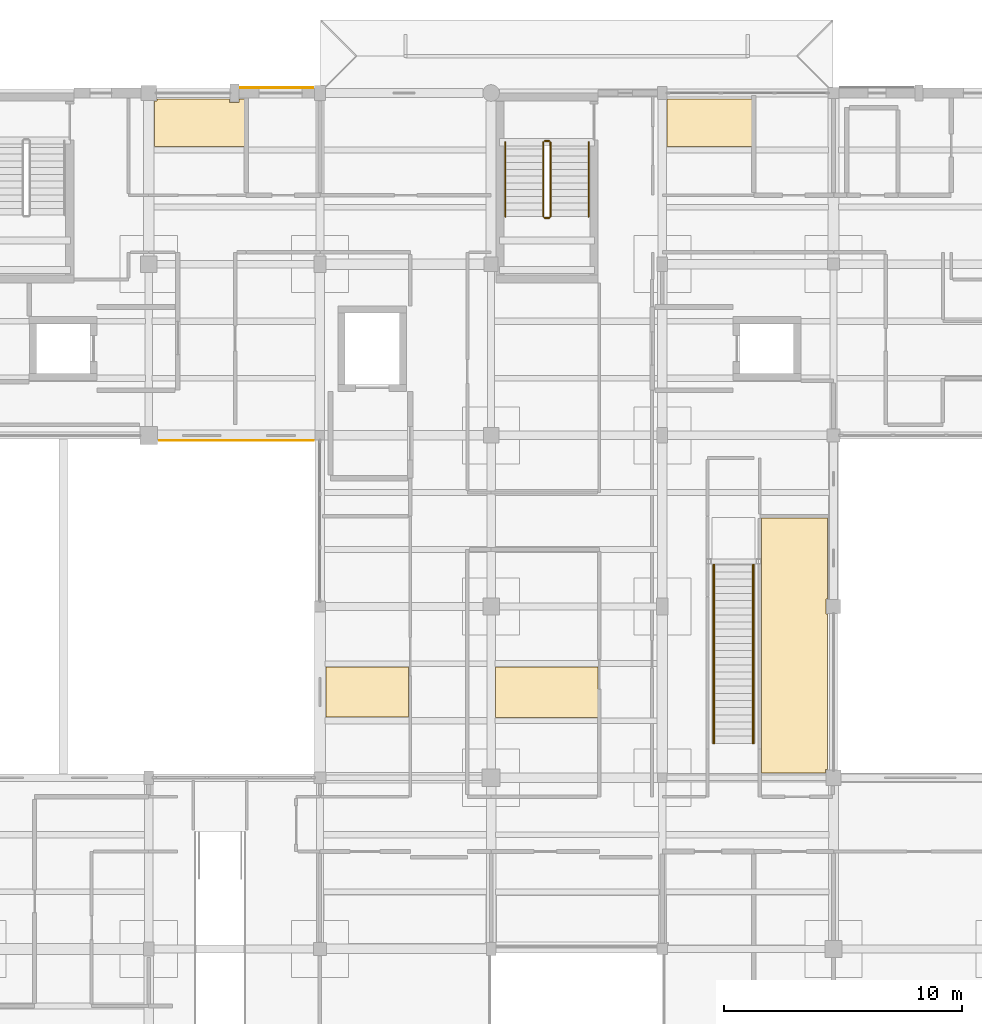
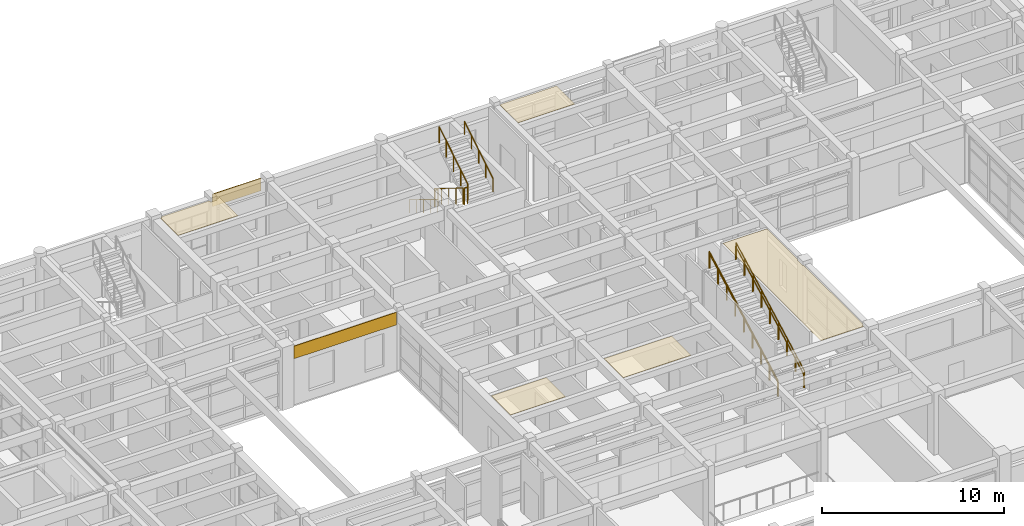
# One storey, part 105 of 110: 10 railings, 7 coverings.
"""IFC4 building model written with IfcOpenShell, lengths in metres."""

import ifcopenshell
import ifcopenshell.guid

model = None  # the IFC model being written
_history = None  # IfcOwnerHistory: only IFC2X3 demands one
_inside = {}  # id of a spatial element -> (the spatial element, [elements in it])
_under = {}  # id of a project, library or spatial element -> (it, [spatial elements below it])
_declared = {}  # id of a project -> (the project, [libraries it declares])
_typed = {}  # id of a type object -> (the type object, [elements of that type])
_made_of = {}  # id of a material, layer set ... -> (it, [elements and type objects made of it])


def new_model(schema):
    """Start an empty IFC model of exactly this schema.

    Asked for "IFC4X3", IfcOpenShell would pick the latest addendum, in which some entities
    have other attributes; the version numbers below select the first issue.
    IFC2X3 requires an IfcOwnerHistory on every rooted entity: one is made here for all.
    """
    global model, _history
    if schema == "IFC4X3":
        model = ifcopenshell.file(schema_version=(4, 3, 0, 0))
    else:
        model = ifcopenshell.file(schema=schema)
    _inside.clear()
    _under.clear()
    _declared.clear()
    _typed.clear()
    _made_of.clear()
    _history = None
    if model.schema == "IFC2X3":
        org = make("IfcOrganization", Name="unknown")
        user = make(
            "IfcPersonAndOrganization",
            ThePerson=make("IfcPerson", FamilyName="unknown"),
            TheOrganization=org,
        )
        app = make(
            "IfcApplication",
            ApplicationDeveloper=org,
            Version="unknown",
            ApplicationFullName="unknown",
            ApplicationIdentifier="unknown",
        )
        _history = make(
            "IfcOwnerHistory",
            OwningUser=user,
            OwningApplication=app,
            ChangeAction="ADDED",
            CreationDate=0,
        )
    return model


def make(cls, **values):
    """One entity of the class cls with the attributes given. An attribute that is None is left unset."""
    return model.create_entity(
        cls, **{name: value for name, value in values.items() if value is not None}
    )


def rooted(cls, **values):
    """An entity with a GlobalId (a new one), such as an element, a storey or a relation."""
    return make(cls, GlobalId=ifcopenshell.guid.new(), OwnerHistory=_history, **values)


def si_unit(unit_type, name, prefix=None):
    """IfcSIUnit, for example si_unit("LENGTHUNIT", "METRE", prefix="MILLI")."""
    return make("IfcSIUnit", UnitType=unit_type, Prefix=prefix, Name=name)


def assignment(units):
    """IfcUnitAssignment: the units of a project."""
    return None if units is None else make("IfcUnitAssignment", Units=units)


def point(xyz):
    """IfcCartesianPoint."""
    return None if xyz is None else make("IfcCartesianPoint", Coordinates=xyz)


def direction(xyz):
    """IfcDirection."""
    return None if xyz is None else make("IfcDirection", DirectionRatios=xyz)


def frame(location, z_axis=None, x_axis=None):
    """IfcAxis2Placement3D, a coordinate frame: its origin and axes. An axis left out is left unset."""
    return make(
        "IfcAxis2Placement3D",
        Location=point(location),
        Axis=direction(z_axis),
        RefDirection=direction(x_axis),
    )


def frame_2d(location, x_axis=None):
    """IfcAxis2Placement2D, a coordinate frame in the plane: its origin and x axis."""
    return make(
        "IfcAxis2Placement2D", Location=point(location), RefDirection=direction(x_axis)
    )


def origin():
    """The frame at (0, 0, 0) with its axes left unset."""
    return frame((0.0, 0.0, 0.0))


def origin_2d():
    """The frame at (0, 0) in the plane with its x axis left unset."""
    return frame_2d((0.0, 0.0))


def place(relative_to, where):
    """IfcLocalPlacement: puts the frame where relative to a parent placement (None: the world)."""
    return make(
        "IfcLocalPlacement", PlacementRelTo=relative_to, RelativePlacement=where
    )


def context(
    kind, dimensions, precision=None, world=None, true_north=None, identifier=None
):
    """IfcGeometricRepresentationContext, for example the 3D "Model" context."""
    return make(
        "IfcGeometricRepresentationContext",
        ContextIdentifier=identifier,
        ContextType=kind,
        CoordinateSpaceDimension=dimensions,
        Precision=precision,
        WorldCoordinateSystem=world,
        TrueNorth=true_north,
    )


def subcontext(parent, identifier, kind, view, scale=None):
    """IfcGeometricRepresentationSubContext, for example "Body" below "Model"."""
    return make(
        "IfcGeometricRepresentationSubContext",
        ContextIdentifier=identifier,
        ContextType=kind,
        ParentContext=parent,
        TargetScale=scale,
        TargetView=view,
    )


def project(units=None, contexts=None):
    """IfcProject with its units and contexts."""
    return rooted(
        "IfcProject",
        Name="project",
        RepresentationContexts=contexts,
        UnitsInContext=assignment(units),
    )


def spatial(cls, under=None, at=None, **own):
    """A site, building, storey or space (cls), placed at a placement, below another one or the project."""
    s = rooted(cls, ObjectPlacement=at, **own)
    if under is not None:
        _under.setdefault(under.id(), (under, []))[1].append(s)
    return s


def polyline(points):
    """IfcPolyline through the points."""
    return make("IfcPolyline", Points=[point(p) for p in points])


def profile(cls, at=None, kind="AREA", **sizes):
    """A parametric profile (cls). Its sizes go by their IFC names, for example OverallWidth=200.0."""
    return make(cls, ProfileType=kind, Position=at, **sizes)


def rectangle(**sizes):
    """IfcRectangleProfileDef."""
    return profile("IfcRectangleProfileDef", **sizes)


def circle(**sizes):
    """IfcCircleProfileDef."""
    return profile("IfcCircleProfileDef", **sizes)


def outline(outer, holes=None, kind="AREA"):
    """IfcArbitraryClosedProfileDef: a profile drawn as a closed curve; with holes, ...WithVoids."""
    if holes is None:
        return make("IfcArbitraryClosedProfileDef", ProfileType=kind, OuterCurve=outer)
    return make(
        "IfcArbitraryProfileDefWithVoids",
        ProfileType=kind,
        OuterCurve=outer,
        InnerCurves=holes,
    )


def extrude(swept, where, along, depth):
    """IfcExtrudedAreaSolid: the profile swept, set in the frame where, extruded along a direction by depth."""
    return make(
        "IfcExtrudedAreaSolid",
        SweptArea=swept,
        Position=where,
        ExtrudedDirection=direction(along),
        Depth=depth,
    )


def shape(context_of_items, identifier, shape_type, items):
    """IfcShapeRepresentation: the items that make up one representation, for example the "Body"."""
    return make(
        "IfcShapeRepresentation",
        ContextOfItems=context_of_items,
        RepresentationIdentifier=identifier,
        RepresentationType=shape_type,
        Items=items,
    )


def material(Name=None, Category=None):
    """IfcMaterial."""
    return make("IfcMaterial", Name=Name, Category=Category)


def layer(
    of_material, thickness, ventilated=None, Name=None, Category=None, Priority=None
):
    """IfcMaterialLayer: one layer of a wall or slab, of a material (None: an air gap)."""
    return make(
        "IfcMaterialLayer",
        Material=of_material,
        LayerThickness=thickness,
        IsVentilated=ventilated,
        Name=Name,
        Category=Category,
        Priority=Priority,
    )


def layer_set(layers, Name=None):
    """IfcMaterialLayerSet."""
    return make("IfcMaterialLayerSet", MaterialLayers=layers, LayerSetName=Name)


def made_of(thing, what):
    """Note that an element or type object is made of a material, layer set ...; save() writes the relation."""
    if what is not None:
        _made_of.setdefault(what.id(), (what, []))[1].append(thing)
    return thing


def type_object(cls, material=None, **own):
    """A type object (cls), such as IfcWallType, which elements share."""
    return made_of(rooted(cls, **own), material)


def element(
    cls,
    number,
    at=None,
    inside=None,
    cuts=None,
    type_object=None,
    material=None,
    context=None,
    identifier="Body",
    shape_type=None,
    held_by="IfcProductDefinitionShape",
    body=None,
    shapes=None,
    **own,
):
    """One element of the class cls, such as IfcWall. Its Tag is "e" and its number.

    at: its placement. inside: the storey or other place that contains it. cuts: it is an
    opening in that element (IfcRelVoidsElement). A single representation is given by context,
    identifier, shape_type and body (its items); several are given by shapes. held_by: the class
    of the entity that holds the representations. save() writes the other relations.
    """
    e = rooted(cls, Tag="e%d" % number, ObjectPlacement=at, **own)
    if body is not None:
        shapes = [shape(context, identifier, shape_type, body)]
    if shapes is not None:
        e.Representation = make(held_by, Representations=shapes)
    if inside is not None:
        _inside.setdefault(inside.id(), (inside, []))[1].append(e)
    if cuts is not None:
        rooted(
            "IfcRelVoidsElement", RelatingBuildingElement=cuts, RelatedOpeningElement=e
        )
    if type_object is not None:
        _typed.setdefault(type_object.id(), (type_object, []))[1].append(e)
    return made_of(e, material)


def aggregate(whole, parts):
    """IfcRelAggregates: a whole, such as a stair, and the parts it consists of."""
    return rooted("IfcRelAggregates", RelatingObject=whole, RelatedObjects=parts)


def save(model, path):
    """Write the relations noted so far, then the file.

    IfcRelAggregates (storeys below a building ...), IfcRelContainedInSpatialStructure (elements
    in a storey), IfcRelDefinesByType, IfcRelAssociatesMaterial and IfcRelDeclares: one each for
    every whole, place, type object, material and project.
    """
    for whole, parts in _under.values():
        aggregate(whole, parts)
    for where, things in _inside.values():
        rooted(
            "IfcRelContainedInSpatialStructure",
            RelatedElements=things,
            RelatingStructure=where,
        )
    for kind, things in _typed.values():
        rooted("IfcRelDefinesByType", RelatedObjects=things, RelatingType=kind)
    for what, things in _made_of.values():
        rooted("IfcRelAssociatesMaterial", RelatedObjects=things, RelatingMaterial=what)
    for by, libraries in _declared.values():
        rooted("IfcRelDeclares", RelatingContext=by, RelatedDefinitions=libraries)
    model.write(path)


model = new_model("IFC4")

# Units and contexts
model_context = context("Model", 3, precision=1e-05, world=origin(), true_north=direction((0.0, 1.0)))
body_context = subcontext(model_context, "Body", "Model", "MODEL_VIEW")
ifc_project = project(units=[si_unit("LENGTHUNIT", "METRE"), si_unit("AREAUNIT", "SQUARE_METRE"), si_unit("VOLUMEUNIT", "CUBIC_METRE"), si_unit("PLANEANGLEUNIT", "RADIAN"), si_unit("MASSUNIT", "GRAM", prefix="KILO")], contexts=[model_context])

# Site, building, storey
site_placement = place(None, origin())
site = spatial("IfcSite", under=ifc_project, at=site_placement, CompositionType="ELEMENT")
building_placement = place(site_placement, origin())
building = spatial("IfcBuilding", under=site, at=building_placement, Name="Steenspoor Specialist Clinic", CompositionType="ELEMENT")
storey_placement = place(building_placement, frame((0.0, 0.0, 4.800048828125)))
storey = spatial("IfcBuildingStorey", under=building, at=storey_placement, Name="L01", CompositionType="ELEMENT", Elevation=4.800048828125)

# Coverings
ifc_material_1 = material(Name="Washable acoustic mineral ceiling board", Category="gypsum")
ifc_layer_1 = layer(ifc_material_1, 0.02490234375)
ifc_layer_set_1 = layer_set([ifc_layer_1], Name="Washable acoustic mineral ceiling board")
covering_type_1 = type_object("IfcCoveringType", Name="COV-CEIL-ACOUSTIC", PredefinedType="CEILING", material=ifc_layer_set_1)
covering_1_placement = place(storey_placement, frame((0.0, 0.0, 3.925048828125)))
element("IfcCovering", 1, at=covering_1_placement, inside=storey, type_object=covering_type_1, Name="Acoustic Clinical Ceiling 104", PredefinedType="CEILING", context=body_context, shape_type="SweptSolid", body=[
    extrude(outline(polyline([(74.260009765625, 84.2099609375), (77.735107421875, 84.2099609375), (77.735107421875, 82.10009765625), (74.260009765625, 82.10009765625), (74.260009765625, 84.2099609375)])), origin(), (0.0, 0.0, 1.0), 0.02490234375),
])
covering_2_placement = place(storey_placement, frame((0.0, 0.0, 3.925048828125)))
element("IfcCovering", 2, at=covering_2_placement, inside=storey, type_object=covering_type_1, Name="Acoustic Clinical Ceiling 105", PredefinedType="CEILING", context=body_context, shape_type="SweptSolid", body=[
    extrude(outline(polyline([(85.68505859375, 82.090087890625), (81.39501953125, 82.090087890625), (81.39501953125, 84.199951171875), (85.68505859375, 84.199951171875), (85.68505859375, 82.090087890625)])), origin(), (0.0, 0.0, 1.0), 0.02490234375),
])
covering_3_placement = place(storey_placement, frame((0.0, 0.0, 3.925048828125)))
element("IfcCovering", 3, at=covering_3_placement, inside=storey, type_object=covering_type_1, Name="Acoustic Clinical Ceiling 106", PredefinedType="CEILING", context=body_context, shape_type="SweptSolid", body=[
    extrude(outline(polyline([(95.340087890625, 87.06494140625), (95.284912109375, 87.06494140625), (95.284912109375, 86.43505859375), (95.340087890625, 86.43505859375), (95.340087890625, 79.889892578125), (95.260009765625, 79.889892578125), (95.260009765625, 79.7451171875), (92.56494140625, 79.7451171875), (92.56494140625, 90.485107421875), (95.340087890625, 90.485107421875), (95.340087890625, 87.06494140625)])), origin(), (0.0, 0.0, 1.0), 0.02490234375),
])
covering_4_placement = place(storey_placement, frame((0.0, 0.0, 3.925048828125)))
element("IfcCovering", 4, at=covering_4_placement, inside=storey, type_object=covering_type_1, Name="Acoustic Clinical Ceiling 107", PredefinedType="CEILING", context=body_context, shape_type="SweptSolid", body=[
    extrude(outline(polyline([(70.195068359375, 108.090087890625), (70.195068359375, 107.955078125), (70.60498046875, 107.955078125), (70.60498046875, 108.090087890625), (70.8349609375, 108.090087890625), (70.8349609375, 106.090087890625), (67.044921875, 106.090087890625), (67.044921875, 108.010009765625), (67.139892578125, 108.010009765625), (67.139892578125, 108.090087890625), (70.195068359375, 108.090087890625)])), origin(), (0.0, 0.0, 1.0), 0.02490234375),
])
covering_5_placement = place(storey_placement, frame((0.0, 0.0, 3.925048828125)))
element("IfcCovering", 5, at=covering_5_placement, inside=storey, type_object=covering_type_1, Name="Acoustic Clinical Ceiling 109", PredefinedType="CEILING", context=body_context, shape_type="SweptSolid", body=[
    extrude(outline(polyline([(92.18505859375, 106.10009765625), (88.594970703125, 106.10009765625), (88.594970703125, 108.06005859375), (88.614990234375, 108.06005859375), (88.614990234375, 108.090087890625), (92.18505859375, 108.090087890625), (92.18505859375, 106.10009765625)])), origin(), (0.0, 0.0, 1.0), 0.02490234375),
])
ifc_material_2 = material(Name="Glazed ceramic relief spandrel cladding", Category="masonry")
ifc_layer_2 = layer(ifc_material_2, 0.034912109375)
ifc_layer_set_2 = layer_set([ifc_layer_2], Name="Glazed ceramic relief spandrel cladding")
covering_type_2 = type_object("IfcCoveringType", Name="COV-CLAD-CERAMIC", PredefinedType="CLADDING", material=ifc_layer_set_2)
covering_6_placement = place(storey_placement, frame((72.1826171875, 108.56494140625, 3.11474609375), z_axis=(0.0, 0.0, 1.0), x_axis=(1.0, 0.0, 0.0)))
element("IfcCovering", 6, at=covering_6_placement, inside=storey, type_object=covering_type_2, Name="Spandrel Cladding 34", PredefinedType="CLADDING", context=body_context, shape_type="SweptSolid", body=[
    extrude(rectangle(XDim=3.06494140625, YDim=0.0400390625, at=origin_2d()), origin(), (0.0, 0.0, 1.0), 0.840087890625),
])
covering_7_placement = place(storey_placement, frame((70.487548828125, 93.735107421875, 3.11474609375), z_axis=(0.0, 0.0, 1.0), x_axis=(-1.0, 0.0, 0.0)))
element("IfcCovering", 7, at=covering_7_placement, inside=storey, type_object=covering_type_2, Name="Spandrel Cladding 38", PredefinedType="CLADDING", context=body_context, shape_type="SweptSolid", body=[
    extrude(rectangle(XDim=6.5048828125, YDim=0.0400390625, at=origin_2d()), origin(), (0.0, 0.0, 1.0), 0.840087890625),
])

# Railings
ifc_material_3 = material(Name="Painted architectural steel balustrade", Category="steel")
railing_type_1 = type_object("IfcRailingType", Name="RAIL-GUARD-1100", PredefinedType="GUARDRAIL", material=ifc_material_3)
railing_1_placement = place(storey_placement, frame((83.39990234375, 106.280029296875, 0.175048828125)))
element("IfcRailing", 8, at=railing_1_placement, inside=storey, type_object=railing_type_1, Name="L01 ST-V4C stair guard 1", PredefinedType="GUARDRAIL", context=body_context, shape_type="SweptSolid", body=[
    extrude(circle(Radius=0.02392578125, at=origin_2d()), frame((0.0, 0.0, 1.076171875), z_axis=(0.0, -0.852195625947, 0.523223293744), x_axis=(1.0, 0.0, 0.0)), (0.0, 0.0, 1.0), 3.6787109375),
    extrude(circle(Radius=0.02099609375, at=origin_2d()), origin(), (0.0, 0.0, 1.0), 1.052001953125),
    extrude(circle(Radius=0.02099609375, at=origin_2d()), frame((0.0, -0.78369140625, 0.481201171875)), (0.0, 0.0, 1.0), 1.052001953125),
    extrude(circle(Radius=0.02099609375, at=origin_2d()), frame((0.0, -1.5673828125, 0.96240234375)), (0.0, 0.0, 1.0), 1.052001953125),
    extrude(circle(Radius=0.02099609375, at=origin_2d()), frame((0.0, -2.351318359375, 1.443603515625)), (0.0, 0.0, 1.0), 1.052001953125),
    extrude(circle(Radius=0.02099609375, at=origin_2d()), frame((0.0, -3.135009765625, 1.9248046875)), (0.0, 0.0, 1.0), 1.052001953125),
])
railing_2_placement = place(storey_placement, frame((83.449951171875, 103.094970703125, 2.099853515625)))
element("IfcRailing", 9, at=railing_2_placement, inside=storey, type_object=railing_type_1, Name="L01 ST-V4C stair guard 2", PredefinedType="GUARDRAIL", context=body_context, shape_type="SweptSolid", body=[
    extrude(circle(Radius=0.02392578125, at=origin_2d()), frame((0.0, 0.0, 1.076171875), z_axis=(1.0, 0.0, 0.0), x_axis=(0.0, 1.0, 0.0)), (0.0, 0.0, 1.0), 0.199951171875),
    extrude(circle(Radius=0.02099609375, at=origin_2d()), origin(), (0.0, 0.0, 1.0), 1.052001953125),
    extrude(circle(Radius=0.02099609375, at=origin_2d()), frame((0.199951171875, 0.0, 0.0)), (0.0, 0.0, 1.0), 1.052001953125),
])
railing_3_placement = place(storey_placement, frame((83.699951171875, 103.14501953125, 2.27490234375)))
element("IfcRailing", 10, at=railing_3_placement, inside=storey, type_object=railing_type_1, Name="L01 ST-V4C stair guard 3", PredefinedType="GUARDRAIL", context=body_context, shape_type="SweptSolid", body=[
    extrude(circle(Radius=0.02392578125, at=origin_2d()), frame((0.0, 0.0, 1.076171875), z_axis=(0.0, 0.852166034122, 0.523271488128), x_axis=(-1.0, 0.0, 0.0)), (0.0, 0.0, 1.0), 3.678955078125),
    extrude(circle(Radius=0.02099609375, at=origin_2d()), origin(), (0.0, 0.0, 1.0), 1.052001953125),
    extrude(circle(Radius=0.02099609375, at=origin_2d()), frame((0.0, 0.78369140625, 0.481201171875)), (0.0, 0.0, 1.0), 1.052001953125),
    extrude(circle(Radius=0.02099609375, at=origin_2d()), frame((0.0, 1.5673828125, 0.96240234375)), (0.0, 0.0, 1.0), 1.052001953125),
    extrude(circle(Radius=0.02099609375, at=origin_2d()), frame((0.0, 2.351318359375, 1.44384765625)), (0.0, 0.0, 1.0), 1.052001953125),
    extrude(circle(Radius=0.02099609375, at=origin_2d()), frame((0.0, 3.135009765625, 1.925048828125)), (0.0, 0.0, 1.0), 1.052001953125),
])
railing_4_placement = place(storey_placement, frame((83.449951171875, 106.330078125, 0.0)))
element("IfcRailing", 11, at=railing_4_placement, inside=storey, type_object=railing_type_1, Name="L01 ST-V4C stair guard 4", PredefinedType="GUARDRAIL", context=body_context, shape_type="SweptSolid", body=[
    extrude(circle(Radius=0.02392578125, at=origin_2d()), frame((0.0, 0.0, 1.076171875), z_axis=(1.0, 0.0, 0.0), x_axis=(0.0, 1.0, 0.0)), (0.0, 0.0, 1.0), 0.199951171875),
    extrude(circle(Radius=0.02099609375, at=origin_2d()), origin(), (0.0, 0.0, 1.0), 1.052001953125),
    extrude(circle(Radius=0.02099609375, at=origin_2d()), frame((0.199951171875, 0.0, 0.0)), (0.0, 0.0, 1.0), 1.052001953125),
])
for number, where, name in (
    (12, (90.550048828125, 81.0, 0.161376953125), "ST-F03 Flight Guard L"),
    (13, (92.25, 81.0, 0.161376953125), "ST-F03 Flight Guard R"),
):
    element("IfcRailing", number, at=place(storey_placement, frame(where)), inside=storey, type_object=railing_type_1, Name=name, PredefinedType="GUARDRAIL", context=body_context, shape_type="SweptSolid", body=[
        extrude(circle(Radius=0.02392578125, at=origin_2d()), frame((0.0, 0.0, 1.09619140625), z_axis=(0.0, 0.880465578021, 0.474110077852), x_axis=(-1.0, 0.0, 0.0)), (0.0, 0.0, 1.0), 8.518310546875),
        extrude(circle(Radius=0.02099609375, at=origin_2d()), origin(), (0.0, 0.0, 1.0), 1.072021484375),
        extrude(circle(Radius=0.02099609375, at=origin_2d()), frame((0.0, 0.9375, 0.5048828125)), (0.0, 0.0, 1.0), 1.072021484375),
        extrude(circle(Radius=0.02099609375, at=origin_2d()), frame((0.0, 1.875, 1.009765625)), (0.0, 0.0, 1.0), 1.072021484375),
        extrude(circle(Radius=0.02099609375, at=origin_2d()), frame((0.0, 2.8125, 1.514404296875)), (0.0, 0.0, 1.0), 1.072021484375),
        extrude(circle(Radius=0.02099609375, at=origin_2d()), frame((0.0, 3.75, 2.019287109375)), (0.0, 0.0, 1.0), 1.072021484375),
        extrude(circle(Radius=0.02099609375, at=origin_2d()), frame((0.0, 4.6875, 2.524169921875)), (0.0, 0.0, 1.0), 1.072021484375),
        extrude(circle(Radius=0.02099609375, at=origin_2d()), frame((0.0, 5.625, 3.02880859375)), (0.0, 0.0, 1.0), 1.072021484375),
        extrude(circle(Radius=0.02099609375, at=origin_2d()), frame((0.0, 6.5625, 3.53369140625)), (0.0, 0.0, 1.0), 1.072021484375),
        extrude(circle(Radius=0.02099609375, at=origin_2d()), frame((0.0, 7.5, 4.03857421875)), (0.0, 0.0, 1.0), 1.072021484375),
    ])
ifc_material_4 = material(Name="Brushed stainless steel clinical handrail", Category="steel")
railing_type_2 = type_object("IfcRailingType", Name="RAIL-HAND-900", PredefinedType="HANDRAIL", material=ifc_material_4)
railing_5_placement = place(storey_placement, frame((81.800048828125, 106.280029296875, 0.175048828125)))
element("IfcRailing", 14, at=railing_5_placement, inside=storey, type_object=railing_type_2, Name="L01 ST-V4C stair handrail 1", PredefinedType="HANDRAIL", context=body_context, shape_type="SweptSolid", body=[
    extrude(circle(Radius=0.02392578125, at=origin_2d()), frame((0.0, 0.0, 0.8759765625), z_axis=(0.0, -0.852195625947, 0.523223293744), x_axis=(1.0, 0.0, 0.0)), (0.0, 0.0, 1.0), 3.6787109375),
    extrude(circle(Radius=0.02099609375, at=origin_2d()), origin(), (0.0, 0.0, 1.0), 0.851806640625),
    extrude(circle(Radius=0.02099609375, at=origin_2d()), frame((0.0, -0.78369140625, 0.481201171875)), (0.0, 0.0, 1.0), 0.851806640625),
    extrude(circle(Radius=0.02099609375, at=origin_2d()), frame((0.0, -1.5673828125, 0.96240234375)), (0.0, 0.0, 1.0), 0.851806640625),
    extrude(circle(Radius=0.02099609375, at=origin_2d()), frame((0.0, -2.351318359375, 1.443603515625)), (0.0, 0.0, 1.0), 0.851806640625),
    extrude(circle(Radius=0.02099609375, at=origin_2d()), frame((0.0, -3.135009765625, 1.9248046875)), (0.0, 0.0, 1.0), 0.851806640625),
])
railing_6_placement = place(storey_placement, frame((85.300048828125, 103.14501953125, 2.27490234375)))
element("IfcRailing", 15, at=railing_6_placement, inside=storey, type_object=railing_type_2, Name="L01 ST-V4C stair handrail 2", PredefinedType="HANDRAIL", context=body_context, shape_type="SweptSolid", body=[
    extrude(circle(Radius=0.02392578125, at=origin_2d()), frame((0.0, 0.0, 0.8759765625), z_axis=(0.0, 0.852166034122, 0.523271488128), x_axis=(-1.0, 0.0, 0.0)), (0.0, 0.0, 1.0), 3.678955078125),
    extrude(circle(Radius=0.02099609375, at=origin_2d()), origin(), (0.0, 0.0, 1.0), 0.851806640625),
    extrude(circle(Radius=0.02099609375, at=origin_2d()), frame((0.0, 0.78369140625, 0.481201171875)), (0.0, 0.0, 1.0), 0.851806640625),
    extrude(circle(Radius=0.02099609375, at=origin_2d()), frame((0.0, 1.5673828125, 0.96240234375)), (0.0, 0.0, 1.0), 0.851806640625),
    extrude(circle(Radius=0.02099609375, at=origin_2d()), frame((0.0, 2.351318359375, 1.44384765625)), (0.0, 0.0, 1.0), 0.851806640625),
    extrude(circle(Radius=0.02099609375, at=origin_2d()), frame((0.0, 3.135009765625, 1.925048828125)), (0.0, 0.0, 1.0), 0.851806640625),
])
for number, where, name in (
    (16, (90.590087890625, 81.0, 0.161376953125), "ST-F03 Handrail L"),
    (17, (92.2099609375, 81.0, 0.161376953125), "ST-F03 Handrail R"),
):
    element("IfcRailing", number, at=place(storey_placement, frame(where)), inside=storey, type_object=railing_type_2, Name=name, PredefinedType="HANDRAIL", context=body_context, shape_type="SweptSolid", body=[
        extrude(circle(Radius=0.02392578125, at=origin_2d()), frame((0.0, 0.0, 0.8759765625), z_axis=(0.0, 0.880465578021, 0.474110077852), x_axis=(-1.0, 0.0, 0.0)), (0.0, 0.0, 1.0), 8.518310546875),
        extrude(circle(Radius=0.02099609375, at=origin_2d()), origin(), (0.0, 0.0, 1.0), 0.851806640625),
        extrude(circle(Radius=0.02099609375, at=origin_2d()), frame((0.0, 0.9375, 0.5048828125)), (0.0, 0.0, 1.0), 0.851806640625),
        extrude(circle(Radius=0.02099609375, at=origin_2d()), frame((0.0, 1.875, 1.009765625)), (0.0, 0.0, 1.0), 0.851806640625),
        extrude(circle(Radius=0.02099609375, at=origin_2d()), frame((0.0, 2.8125, 1.514404296875)), (0.0, 0.0, 1.0), 0.851806640625),
        extrude(circle(Radius=0.02099609375, at=origin_2d()), frame((0.0, 3.75, 2.019287109375)), (0.0, 0.0, 1.0), 0.851806640625),
        extrude(circle(Radius=0.02099609375, at=origin_2d()), frame((0.0, 4.6875, 2.524169921875)), (0.0, 0.0, 1.0), 0.851806640625),
        extrude(circle(Radius=0.02099609375, at=origin_2d()), frame((0.0, 5.625, 3.02880859375)), (0.0, 0.0, 1.0), 0.851806640625),
        extrude(circle(Radius=0.02099609375, at=origin_2d()), frame((0.0, 6.5625, 3.53369140625)), (0.0, 0.0, 1.0), 0.851806640625),
        extrude(circle(Radius=0.02099609375, at=origin_2d()), frame((0.0, 7.5, 4.03857421875)), (0.0, 0.0, 1.0), 0.851806640625),
    ])

save(model, "model.ifc")
